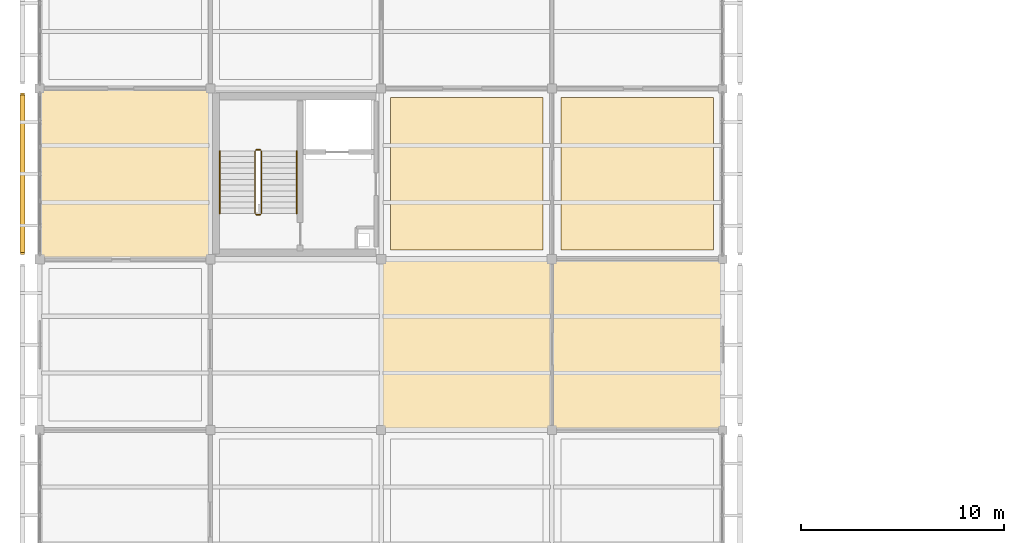
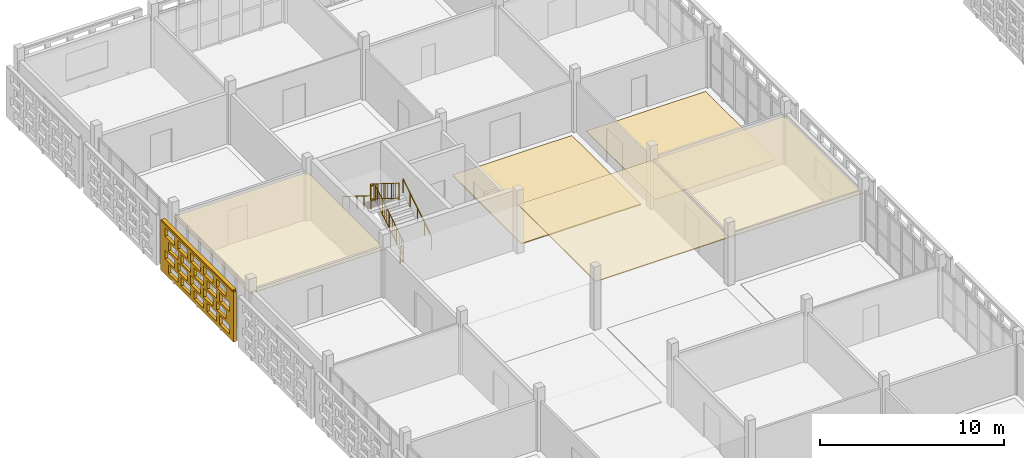
# One storey, part 111 of 140: 6 coverings, 6 railings, 1 shading device, 20 openings.
"""IFC4 building model written with IfcOpenShell, lengths in metres."""

from ifc_helpers import new_model, si_unit, direction, frame, frame_2d, origin, origin_2d, place, context, subcontext, project, spatial, rectangle, circle, extrude, material, layer, layer_set, type_object, element, save


model = new_model("IFC4")

# Units and contexts
model_context = context("Model", 3, precision=1e-05, world=origin(), true_north=direction((0.0, 1.0)))
body_context = subcontext(model_context, "Body", "Model", "MODEL_VIEW")
ifc_project = project(units=[si_unit("LENGTHUNIT", "METRE"), si_unit("AREAUNIT", "SQUARE_METRE"), si_unit("VOLUMEUNIT", "CUBIC_METRE"), si_unit("PLANEANGLEUNIT", "RADIAN"), si_unit("MASSUNIT", "GRAM", prefix="KILO")], contexts=[model_context])

# Site, building, storey
site_placement = place(None, origin())
site = spatial("IfcSite", under=ifc_project, at=site_placement, CompositionType="ELEMENT")
building_placement = place(site_placement, origin())
building = spatial("IfcBuilding", under=site, at=building_placement, Name="Varnapada Polytechnic", CompositionType="ELEMENT")
storey_placement = place(building_placement, frame((0.0, 0.0, 13.800048828125)))
storey = spatial("IfcBuildingStorey", under=building, at=storey_placement, Name="L03", CompositionType="ELEMENT", Elevation=13.800048828125)

# Coverings
ifc_material_1 = material(Name="End-Grain Timber Studio Block Flooring", Category="wood")
ifc_layer_1 = layer(ifc_material_1, 0.054931640625)
ifc_layer_set_1 = layer_set([ifc_layer_1], Name="End-Grain Timber Studio Block Flooring")
covering_type_1 = type_object("IfcCoveringType", Name="Floor Finish FLR-04", PredefinedType="FLOORING", material=ifc_layer_set_1)
covering_1_placement = place(storey_placement, frame((21.0, 105.0, 0.0), z_axis=(0.0, 0.0, 1.0), x_axis=(1.0, 0.0, 0.0)))
element("IfcCovering", 1, at=covering_1_placement, inside=storey, type_object=covering_type_1, Name="L03 floor finish panel (3,13)", PredefinedType="FLOORING", context=body_context, shape_type="SweptSolid", body=[
    extrude(rectangle(XDim=7.5, YDim=7.5, at=origin_2d()), origin(), (0.0, 0.0, 1.0), 0.054931640625),
])
ifc_material_2 = material(Name="Acoustic Rubber Seminar Flooring")
ifc_layer_2 = layer(ifc_material_2, 0.0400390625)
ifc_layer_set_2 = layer_set([ifc_layer_2], Name="Acoustic Rubber Seminar Flooring")
covering_type_2 = type_object("IfcCoveringType", Name="Floor Finish FLR-06", PredefinedType="FLOORING", material=ifc_layer_set_2)
covering_2_placement = place(storey_placement, frame((29.39990234375, 105.0, 0.0), z_axis=(0.0, 0.0, 1.0), x_axis=(1.0, 0.0, 0.0)))
element("IfcCovering", 2, at=covering_2_placement, inside=storey, type_object=covering_type_2, Name="L03 floor finish panel (4,13)", PredefinedType="FLOORING", context=body_context, shape_type="SweptSolid", body=[
    extrude(rectangle(XDim=7.5, YDim=7.5, at=origin_2d()), origin(), (0.0, 0.0, 1.0), 0.0400390625),
])

# Railings
ifc_material_3 = material(Name="Brushed Stainless Steel 316", Category="steel")
railing_type_1 = type_object("IfcRailingType", Name="Stair Wall Handrail SHR-01", PredefinedType="HANDRAIL", material=ifc_material_3)
railing_1_placement = place(storey_placement, frame((12.64990234375, 103.050048828125, 0.175048828125)))
element("IfcRailing", 3, at=railing_1_placement, inside=storey, type_object=railing_type_1, Name="L03 ST-1 stair handrail 1", PredefinedType="HANDRAIL", context=body_context, shape_type="SweptSolid", body=[
    extrude(circle(Radius=0.02392578125, at=origin_2d()), frame((0.0, 0.0, 0.8759765625), z_axis=(0.0, 0.848009633417, 0.529980812513), x_axis=(-1.0, 0.0, 0.0)), (0.0, 0.0, 1.0), 3.6318359375),
    extrude(circle(Radius=0.02099609375, at=origin_2d()), origin(), (0.0, 0.0, 1.0), 0.851806640625),
    extrude(circle(Radius=0.02099609375, at=origin_2d()), frame((0.0, 0.77001953125, 0.481201171875)), (0.0, 0.0, 1.0), 0.851806640625),
    extrude(circle(Radius=0.02099609375, at=origin_2d()), frame((0.0, 1.5400390625, 0.96240234375)), (0.0, 0.0, 1.0), 0.851806640625),
    extrude(circle(Radius=0.02099609375, at=origin_2d()), frame((0.0, 2.309814453125, 1.443603515625)), (0.0, 0.0, 1.0), 0.851806640625),
    extrude(circle(Radius=0.02099609375, at=origin_2d()), frame((0.0, 3.079833984375, 1.9248046875)), (0.0, 0.0, 1.0), 0.851806640625),
])
railing_2_placement = place(storey_placement, frame((8.85009765625, 106.1298828125, 2.27490234375)))
element("IfcRailing", 4, at=railing_2_placement, inside=storey, type_object=railing_type_1, Name="L03 ST-1 stair handrail 2", PredefinedType="HANDRAIL", context=body_context, shape_type="SweptSolid", body=[
    extrude(circle(Radius=0.02392578125, at=origin_2d()), frame((0.0, 0.0, 0.8759765625), z_axis=(0.0, -0.847979421464, 0.530029150871), x_axis=(1.0, 0.0, 0.0)), (0.0, 0.0, 1.0), 3.632080078125),
    extrude(circle(Radius=0.02099609375, at=origin_2d()), origin(), (0.0, 0.0, 1.0), 0.851806640625),
    extrude(circle(Radius=0.02099609375, at=origin_2d()), frame((0.0, -0.77001953125, 0.481201171875)), (0.0, 0.0, 1.0), 0.851806640625),
    extrude(circle(Radius=0.02099609375, at=origin_2d()), frame((0.0, -1.5400390625, 0.96240234375)), (0.0, 0.0, 1.0), 0.851806640625),
    extrude(circle(Radius=0.02099609375, at=origin_2d()), frame((0.0, -2.309814453125, 1.44384765625)), (0.0, 0.0, 1.0), 0.851806640625),
    extrude(circle(Radius=0.02099609375, at=origin_2d()), frame((0.0, -3.079833984375, 1.925048828125)), (0.0, 0.0, 1.0), 0.851806640625),
])
railing_type_2 = type_object("IfcRailingType", Name="Stair Well Guard Rail SGR-01", PredefinedType="BALUSTRADE", material=ifc_material_3)
railing_3_placement = place(storey_placement, frame((10.89990234375, 103.050048828125, 0.175048828125)))
element("IfcRailing", 5, at=railing_3_placement, inside=storey, type_object=railing_type_2, Name="L03 ST-1 stair guard 1", PredefinedType="BALUSTRADE", context=body_context, shape_type="SweptSolid", body=[
    extrude(circle(Radius=0.02392578125, at=origin_2d()), frame((0.0, 0.0, 1.09619140625), z_axis=(0.0, 0.848009633417, 0.529980812513), x_axis=(-1.0, 0.0, 0.0)), (0.0, 0.0, 1.0), 3.6318359375),
    extrude(circle(Radius=0.02392578125, at=origin_2d()), frame((0.0, 0.0, 0.10009765625), z_axis=(0.0, 0.848009633417, 0.529980812513), x_axis=(-1.0, 0.0, 0.0)), (0.0, 0.0, 1.0), 3.6318359375),
    extrude(circle(Radius=0.02099609375, at=origin_2d()), origin(), (0.0, 0.0, 1.0), 1.072021484375),
    extrude(circle(Radius=0.02099609375, at=origin_2d()), frame((0.0, 0.77001953125, 0.481201171875)), (0.0, 0.0, 1.0), 1.072021484375),
    extrude(circle(Radius=0.02099609375, at=origin_2d()), frame((0.0, 1.5400390625, 0.96240234375)), (0.0, 0.0, 1.0), 1.072021484375),
    extrude(circle(Radius=0.02099609375, at=origin_2d()), frame((0.0, 2.309814453125, 1.443603515625)), (0.0, 0.0, 1.0), 1.072021484375),
    extrude(circle(Radius=0.02099609375, at=origin_2d()), frame((0.0, 3.079833984375, 1.9248046875)), (0.0, 0.0, 1.0), 1.072021484375),
    extrude(circle(Radius=0.010009765625, at=origin_2d()), frame((0.0, 0.205322265625, 0.228515625)), (0.0, 0.0, 1.0), 0.971923828125),
    extrude(circle(Radius=0.010009765625, at=origin_2d()), frame((0.0, 0.41064453125, 0.356689453125)), (0.0, 0.0, 1.0), 0.971923828125),
    extrude(circle(Radius=0.010009765625, at=origin_2d()), frame((0.0, 0.615966796875, 0.485107421875)), (0.0, 0.0, 1.0), 0.971923828125),
    extrude(circle(Radius=0.010009765625, at=origin_2d()), frame((0.0, 0.8212890625, 0.61328125)), (0.0, 0.0, 1.0), 0.971923828125),
    extrude(circle(Radius=0.010009765625, at=origin_2d()), frame((0.0, 1.026611328125, 0.74169921875)), (0.0, 0.0, 1.0), 0.971923828125),
    extrude(circle(Radius=0.010009765625, at=origin_2d()), frame((0.0, 1.23193359375, 0.8701171875)), (0.0, 0.0, 1.0), 0.971923828125),
    extrude(circle(Radius=0.010009765625, at=origin_2d()), frame((0.0, 1.437255859375, 0.998291015625)), (0.0, 0.0, 1.0), 0.971923828125),
    extrude(circle(Radius=0.010009765625, at=origin_2d()), frame((0.0, 1.642578125, 1.126708984375)), (0.0, 0.0, 1.0), 0.971923828125),
    extrude(circle(Radius=0.010009765625, at=origin_2d()), frame((0.0, 1.847900390625, 1.2548828125)), (0.0, 0.0, 1.0), 0.971923828125),
    extrude(circle(Radius=0.010009765625, at=origin_2d()), frame((0.0, 2.05322265625, 1.38330078125)), (0.0, 0.0, 1.0), 0.971923828125),
    extrude(circle(Radius=0.010009765625, at=origin_2d()), frame((0.0, 2.258544921875, 1.51171875)), (0.0, 0.0, 1.0), 0.971923828125),
    extrude(circle(Radius=0.010009765625, at=origin_2d()), frame((0.0, 2.4638671875, 1.639892578125)), (0.0, 0.0, 1.0), 0.971923828125),
    extrude(circle(Radius=0.010009765625, at=origin_2d()), frame((0.0, 2.669189453125, 1.768310546875)), (0.0, 0.0, 1.0), 0.971923828125),
    extrude(circle(Radius=0.010009765625, at=origin_2d()), frame((0.0, 2.87451171875, 1.896484375)), (0.0, 0.0, 1.0), 0.971923828125),
])
railing_4_placement = place(storey_placement, frame((10.85009765625, 106.179931640625, 2.099853515625)))
element("IfcRailing", 6, at=railing_4_placement, inside=storey, type_object=railing_type_2, Name="L03 ST-1 stair guard 2", PredefinedType="BALUSTRADE", context=body_context, shape_type="SweptSolid", body=[
    extrude(circle(Radius=0.02392578125, at=origin_2d()), frame((0.0, 0.0, 1.09619140625), z_axis=(-1.0, 0.0, 0.0), x_axis=(0.0, -1.0, 0.0)), (0.0, 0.0, 1.0), 0.2001953125),
    extrude(circle(Radius=0.02392578125, at=origin_2d()), frame((0.0, 0.0, 0.10009765625), z_axis=(-1.0, 0.0, 0.0), x_axis=(0.0, -1.0, 0.0)), (0.0, 0.0, 1.0), 0.2001953125),
    extrude(circle(Radius=0.02099609375, at=origin_2d()), origin(), (0.0, 0.0, 1.0), 1.072021484375),
    extrude(circle(Radius=0.02099609375, at=origin_2d()), frame((-0.2001953125, 0.0, 0.0)), (0.0, 0.0, 1.0), 1.072021484375),
])
railing_5_placement = place(storey_placement, frame((10.60009765625, 106.1298828125, 2.27490234375)))
element("IfcRailing", 7, at=railing_5_placement, inside=storey, type_object=railing_type_2, Name="L03 ST-1 stair guard 3", PredefinedType="BALUSTRADE", context=body_context, shape_type="SweptSolid", body=[
    extrude(circle(Radius=0.02392578125, at=origin_2d()), frame((0.0, 0.0, 1.09619140625), z_axis=(0.0, -0.847979421464, 0.530029150871), x_axis=(1.0, 0.0, 0.0)), (0.0, 0.0, 1.0), 3.632080078125),
    extrude(circle(Radius=0.02392578125, at=origin_2d()), frame((0.0, 0.0, 0.10009765625), z_axis=(0.0, -0.847979421464, 0.530029150871), x_axis=(1.0, 0.0, 0.0)), (0.0, 0.0, 1.0), 3.632080078125),
    extrude(circle(Radius=0.02099609375, at=origin_2d()), origin(), (0.0, 0.0, 1.0), 1.072021484375),
    extrude(circle(Radius=0.02099609375, at=origin_2d()), frame((0.0, -0.77001953125, 0.481201171875)), (0.0, 0.0, 1.0), 1.072021484375),
    extrude(circle(Radius=0.02099609375, at=origin_2d()), frame((0.0, -1.5400390625, 0.96240234375)), (0.0, 0.0, 1.0), 1.072021484375),
    extrude(circle(Radius=0.02099609375, at=origin_2d()), frame((0.0, -2.309814453125, 1.44384765625)), (0.0, 0.0, 1.0), 1.072021484375),
    extrude(circle(Radius=0.02099609375, at=origin_2d()), frame((0.0, -3.079833984375, 1.925048828125)), (0.0, 0.0, 1.0), 1.072021484375),
    extrude(circle(Radius=0.010009765625, at=origin_2d()), frame((0.0, -0.205322265625, 0.228515625)), (0.0, 0.0, 1.0), 0.971923828125),
    extrude(circle(Radius=0.010009765625, at=origin_2d()), frame((0.0, -0.41064453125, 0.356689453125)), (0.0, 0.0, 1.0), 0.971923828125),
    extrude(circle(Radius=0.010009765625, at=origin_2d()), frame((0.0, -0.615966796875, 0.485107421875)), (0.0, 0.0, 1.0), 0.971923828125),
    extrude(circle(Radius=0.010009765625, at=origin_2d()), frame((0.0, -0.8212890625, 0.613525390625)), (0.0, 0.0, 1.0), 0.971923828125),
    extrude(circle(Radius=0.010009765625, at=origin_2d()), frame((0.0, -1.026611328125, 0.74169921875)), (0.0, 0.0, 1.0), 0.971923828125),
    extrude(circle(Radius=0.010009765625, at=origin_2d()), frame((0.0, -1.23193359375, 0.8701171875)), (0.0, 0.0, 1.0), 0.971923828125),
    extrude(circle(Radius=0.010009765625, at=origin_2d()), frame((0.0, -1.437255859375, 0.99853515625)), (0.0, 0.0, 1.0), 0.971923828125),
    extrude(circle(Radius=0.010009765625, at=origin_2d()), frame((0.0, -1.642578125, 1.126708984375)), (0.0, 0.0, 1.0), 0.971923828125),
    extrude(circle(Radius=0.010009765625, at=origin_2d()), frame((0.0, -1.847900390625, 1.255126953125)), (0.0, 0.0, 1.0), 0.971923828125),
    extrude(circle(Radius=0.010009765625, at=origin_2d()), frame((0.0, -2.05322265625, 1.383544921875)), (0.0, 0.0, 1.0), 0.971923828125),
    extrude(circle(Radius=0.010009765625, at=origin_2d()), frame((0.0, -2.258544921875, 1.51171875)), (0.0, 0.0, 1.0), 0.971923828125),
    extrude(circle(Radius=0.010009765625, at=origin_2d()), frame((0.0, -2.4638671875, 1.64013671875)), (0.0, 0.0, 1.0), 0.971923828125),
    extrude(circle(Radius=0.010009765625, at=origin_2d()), frame((0.0, -2.669189453125, 1.7685546875)), (0.0, 0.0, 1.0), 0.971923828125),
    extrude(circle(Radius=0.010009765625, at=origin_2d()), frame((0.0, -2.87451171875, 1.896728515625)), (0.0, 0.0, 1.0), 0.971923828125),
])
railing_6_placement = place(storey_placement, frame((10.85009765625, 103.0, 0.0)))
element("IfcRailing", 8, at=railing_6_placement, inside=storey, type_object=railing_type_2, Name="L03 ST-1 stair guard 4", PredefinedType="BALUSTRADE", context=body_context, shape_type="SweptSolid", body=[
    extrude(circle(Radius=0.02392578125, at=origin_2d()), frame((0.0, 0.0, 1.09619140625), z_axis=(-1.0, 0.0, 0.0), x_axis=(0.0, -1.0, 0.0)), (0.0, 0.0, 1.0), 0.2001953125),
    extrude(circle(Radius=0.02392578125, at=origin_2d()), frame((0.0, 0.0, 0.10009765625), z_axis=(-1.0, 0.0, 0.0), x_axis=(0.0, -1.0, 0.0)), (0.0, 0.0, 1.0), 0.2001953125),
    extrude(circle(Radius=0.02099609375, at=origin_2d()), origin(), (0.0, 0.0, 1.0), 1.072021484375),
    extrude(circle(Radius=0.02099609375, at=origin_2d()), frame((-0.2001953125, 0.0, 0.0)), (0.0, 0.0, 1.0), 1.072021484375),
])

# Coverings
ifc_material_4 = material(Name="Perforated Timber Slatted Baffle Ceiling", Category="wood")
ifc_layer_3 = layer(ifc_material_4, 0.050048828125)
ifc_layer_set_3 = layer_set([ifc_layer_3], Name="Perforated Timber Slatted Baffle Ceiling")
covering_type_3 = type_object("IfcCoveringType", Name="Suspended Ceiling CLG-02", PredefinedType="CEILING", material=ifc_layer_set_3)
covering_3_placement = place(storey_placement, frame((4.199951171875, 105.0, 3.02490234375), z_axis=(0.0, 0.0, 1.0), x_axis=(1.0, 0.0, 0.0)))
element("IfcCovering", 9, at=covering_3_placement, inside=storey, type_object=covering_type_3, Name="L03 suspended acoustic ceiling (1,13)", PredefinedType="CEILING", context=body_context, shape_type="SweptSolid", body=[
    extrude(rectangle(XDim=8.419921875, YDim=8.419921875, at=origin_2d()), origin(), (0.0, 0.0, 1.0), 0.050048828125),
])
ifc_material_5 = material(Name="Slatted Merbau Timber Acoustic Ceiling", Category="wood")
ifc_layer_4 = layer(ifc_material_5, 0.054931640625)
ifc_layer_set_4 = layer_set([ifc_layer_4], Name="Slatted Merbau Timber Acoustic Ceiling")
covering_type_4 = type_object("IfcCoveringType", Name="Suspended Ceiling CLG-05", PredefinedType="CEILING", material=ifc_layer_set_4)
for number, where, z_axis, x_axis, name in (
    (10, (21.0, 96.60009765625, 3.0224609375), (0.0, 0.0, 1.0), (1.0, 0.0, 0.0), "L03 suspended acoustic ceiling (3,12)"),
    (11, (29.39990234375, 96.60009765625, 3.0224609375), (0.0, 0.0, 1.0), (1.0, 0.0, 0.0), "L03 suspended acoustic ceiling (4,12)"),
):
    element("IfcCovering", number, at=place(storey_placement, frame(where, z_axis=z_axis, x_axis=x_axis)), inside=storey, type_object=covering_type_4, Name=name, PredefinedType="CEILING", context=body_context, shape_type="SweptSolid", body=[
        extrude(rectangle(XDim=8.419921875, YDim=8.419921875, at=origin_2d()), origin(), (0.0, 0.0, 1.0), 0.054931640625),
    ])

# Covering, openings
ifc_material_6 = material(Name="Earth-toned architectural terracotta screen block", Category="masonry")
ifc_layer_5 = layer(ifc_material_6, 0.1201171875)
ifc_layer_set_5 = layer_set([ifc_layer_5], Name="Earth-toned architectural terracotta screen block")
covering_type_5 = type_object("IfcCoveringType", Name="Terracotta Screen Cladding CLD-01", PredefinedType="CLADDING", material=ifc_layer_set_5)
covering_4_placement = place(storey_placement, frame((-0.85009765625, 101.030029296875, 0.0), z_axis=(0.0, 0.0, 1.0), x_axis=(0.0, 1.0, 0.0)))
covering_4 = element("IfcCovering", 12, at=covering_4_placement, inside=storey, type_object=covering_type_5, Name="L03 perforated terracotta block screen (9)", PredefinedType="CLADDING", context=body_context, shape_type="SweptSolid", body=[
    extrude(rectangle(XDim=7.949951171875, YDim=0.179931640625, at=frame_2d((3.97509765625, 0.0))), origin(), (0.0, 0.0, 1.0), 3.320068359375),
])
opening_1_placement = place(covering_4_placement, frame((0.47509765625, 0.0, 0.265625)))
element("IfcOpeningElement", 13, at=opening_1_placement, cuts=covering_4, Name="Screen perforation TBS-L03-008.1", PredefinedType="OPENING", context=body_context, shape_type="SweptSolid", body=[
    extrude(rectangle(XDim=1.0400390625, YDim=0.5810546875, at=frame_2d((0.52001953125, 0.29052734375))), frame((0.0, 0.099853515625, 0.0), z_axis=(0.0, -1.0, 0.0), x_axis=(1.0, 0.0, 0.0)), (0.0, 0.0, 1.0), 0.199951171875),
])
opening_2_placement = place(covering_4_placement, frame((1.875, 0.0, 0.265625)))
element("IfcOpeningElement", 14, at=opening_2_placement, cuts=covering_4, Name="Screen perforation TBS-L03-008.2", PredefinedType="OPENING", context=body_context, shape_type="SweptSolid", body=[
    extrude(rectangle(XDim=1.0400390625, YDim=0.5810546875, at=frame_2d((0.52001953125, 0.29052734375))), frame((0.0, 0.099853515625, 0.0), z_axis=(0.0, -1.0, 0.0), x_axis=(1.0, 0.0, 0.0)), (0.0, 0.0, 1.0), 0.199951171875),
])
opening_3_placement = place(covering_4_placement, frame((3.27490234375, 0.0, 0.265625)))
element("IfcOpeningElement", 15, at=opening_3_placement, cuts=covering_4, Name="Screen perforation TBS-L03-008.3", PredefinedType="OPENING", context=body_context, shape_type="SweptSolid", body=[
    extrude(rectangle(XDim=1.0400390625, YDim=0.5810546875, at=frame_2d((0.52001953125, 0.29052734375))), frame((0.0, 0.099853515625, 0.0), z_axis=(0.0, -1.0, 0.0), x_axis=(1.0, 0.0, 0.0)), (0.0, 0.0, 1.0), 0.199951171875),
])
opening_4_placement = place(covering_4_placement, frame((4.675048828125, 0.0, 0.265625)))
element("IfcOpeningElement", 16, at=opening_4_placement, cuts=covering_4, Name="Screen perforation TBS-L03-008.4", PredefinedType="OPENING", context=body_context, shape_type="SweptSolid", body=[
    extrude(rectangle(XDim=1.0400390625, YDim=0.5810546875, at=frame_2d((0.52001953125, 0.29052734375))), frame((0.0, 0.099853515625, 0.0), z_axis=(0.0, -1.0, 0.0), x_axis=(1.0, 0.0, 0.0)), (0.0, 0.0, 1.0), 0.199951171875),
])
opening_5_placement = place(covering_4_placement, frame((6.074951171875, 0.0, 0.265625)))
element("IfcOpeningElement", 17, at=opening_5_placement, cuts=covering_4, Name="Screen perforation TBS-L03-008.5", PredefinedType="OPENING", context=body_context, shape_type="SweptSolid", body=[
    extrude(rectangle(XDim=1.0400390625, YDim=0.5810546875, at=frame_2d((0.52001953125, 0.29052734375))), frame((0.0, 0.099853515625, 0.0), z_axis=(0.0, -1.0, 0.0), x_axis=(1.0, 0.0, 0.0)), (0.0, 0.0, 1.0), 0.199951171875),
])
opening_6_placement = place(covering_4_placement, frame((0.8349609375, 0.0, 1.0126953125)))
element("IfcOpeningElement", 18, at=opening_6_placement, cuts=covering_4, Name="Screen perforation TBS-L03-008.6", PredefinedType="OPENING", context=body_context, shape_type="SweptSolid", body=[
    extrude(rectangle(XDim=1.0400390625, YDim=0.5810546875, at=frame_2d((0.52001953125, 0.29052734375))), frame((0.0, 0.099853515625, 0.0), z_axis=(0.0, -1.0, 0.0), x_axis=(1.0, 0.0, 0.0)), (0.0, 0.0, 1.0), 0.199951171875),
])
opening_7_placement = place(covering_4_placement, frame((2.235107421875, 0.0, 1.0126953125)))
element("IfcOpeningElement", 19, at=opening_7_placement, cuts=covering_4, Name="Screen perforation TBS-L03-008.7", PredefinedType="OPENING", context=body_context, shape_type="SweptSolid", body=[
    extrude(rectangle(XDim=1.0400390625, YDim=0.5810546875, at=frame_2d((0.52001953125, 0.29052734375))), frame((0.0, 0.099853515625, 0.0), z_axis=(0.0, -1.0, 0.0), x_axis=(1.0, 0.0, 0.0)), (0.0, 0.0, 1.0), 0.199951171875),
])
opening_8_placement = place(covering_4_placement, frame((3.635009765625, 0.0, 1.0126953125)))
element("IfcOpeningElement", 20, at=opening_8_placement, cuts=covering_4, Name="Screen perforation TBS-L03-008.8", PredefinedType="OPENING", context=body_context, shape_type="SweptSolid", body=[
    extrude(rectangle(XDim=1.0400390625, YDim=0.5810546875, at=frame_2d((0.52001953125, 0.29052734375))), frame((0.0, 0.099853515625, 0.0), z_axis=(0.0, -1.0, 0.0), x_axis=(1.0, 0.0, 0.0)), (0.0, 0.0, 1.0), 0.199951171875),
])
opening_9_placement = place(covering_4_placement, frame((5.034912109375, 0.0, 1.0126953125)))
element("IfcOpeningElement", 21, at=opening_9_placement, cuts=covering_4, Name="Screen perforation TBS-L03-008.9", PredefinedType="OPENING", context=body_context, shape_type="SweptSolid", body=[
    extrude(rectangle(XDim=1.0400390625, YDim=0.5810546875, at=frame_2d((0.52001953125, 0.29052734375))), frame((0.0, 0.099853515625, 0.0), z_axis=(0.0, -1.0, 0.0), x_axis=(1.0, 0.0, 0.0)), (0.0, 0.0, 1.0), 0.199951171875),
])
opening_10_placement = place(covering_4_placement, frame((6.43505859375, 0.0, 1.0126953125)))
element("IfcOpeningElement", 22, at=opening_10_placement, cuts=covering_4, Name="Screen perforation TBS-L03-008.10", PredefinedType="OPENING", context=body_context, shape_type="SweptSolid", body=[
    extrude(rectangle(XDim=1.0400390625, YDim=0.5810546875, at=frame_2d((0.52001953125, 0.29052734375))), frame((0.0, 0.099853515625, 0.0), z_axis=(0.0, -1.0, 0.0), x_axis=(1.0, 0.0, 0.0)), (0.0, 0.0, 1.0), 0.199951171875),
])
opening_11_placement = place(covering_4_placement, frame((0.47509765625, 0.0, 1.759521484375)))
element("IfcOpeningElement", 23, at=opening_11_placement, cuts=covering_4, Name="Screen perforation TBS-L03-008.11", PredefinedType="OPENING", context=body_context, shape_type="SweptSolid", body=[
    extrude(rectangle(XDim=1.0400390625, YDim=0.5810546875, at=frame_2d((0.52001953125, 0.29052734375))), frame((0.0, 0.099853515625, 0.0), z_axis=(0.0, -1.0, 0.0), x_axis=(1.0, 0.0, 0.0)), (0.0, 0.0, 1.0), 0.199951171875),
])
opening_12_placement = place(covering_4_placement, frame((1.875, 0.0, 1.759521484375)))
element("IfcOpeningElement", 24, at=opening_12_placement, cuts=covering_4, Name="Screen perforation TBS-L03-008.12", PredefinedType="OPENING", context=body_context, shape_type="SweptSolid", body=[
    extrude(rectangle(XDim=1.0400390625, YDim=0.5810546875, at=frame_2d((0.52001953125, 0.29052734375))), frame((0.0, 0.099853515625, 0.0), z_axis=(0.0, -1.0, 0.0), x_axis=(1.0, 0.0, 0.0)), (0.0, 0.0, 1.0), 0.199951171875),
])
opening_13_placement = place(covering_4_placement, frame((3.27490234375, 0.0, 1.759521484375)))
element("IfcOpeningElement", 25, at=opening_13_placement, cuts=covering_4, Name="Screen perforation TBS-L03-008.13", PredefinedType="OPENING", context=body_context, shape_type="SweptSolid", body=[
    extrude(rectangle(XDim=1.0400390625, YDim=0.5810546875, at=frame_2d((0.52001953125, 0.29052734375))), frame((0.0, 0.099853515625, 0.0), z_axis=(0.0, -1.0, 0.0), x_axis=(1.0, 0.0, 0.0)), (0.0, 0.0, 1.0), 0.199951171875),
])
opening_14_placement = place(covering_4_placement, frame((4.675048828125, 0.0, 1.759521484375)))
element("IfcOpeningElement", 26, at=opening_14_placement, cuts=covering_4, Name="Screen perforation TBS-L03-008.14", PredefinedType="OPENING", context=body_context, shape_type="SweptSolid", body=[
    extrude(rectangle(XDim=1.0400390625, YDim=0.5810546875, at=frame_2d((0.52001953125, 0.29052734375))), frame((0.0, 0.099853515625, 0.0), z_axis=(0.0, -1.0, 0.0), x_axis=(1.0, 0.0, 0.0)), (0.0, 0.0, 1.0), 0.199951171875),
])
opening_15_placement = place(covering_4_placement, frame((6.074951171875, 0.0, 1.759521484375)))
element("IfcOpeningElement", 27, at=opening_15_placement, cuts=covering_4, Name="Screen perforation TBS-L03-008.15", PredefinedType="OPENING", context=body_context, shape_type="SweptSolid", body=[
    extrude(rectangle(XDim=1.0400390625, YDim=0.5810546875, at=frame_2d((0.52001953125, 0.29052734375))), frame((0.0, 0.099853515625, 0.0), z_axis=(0.0, -1.0, 0.0), x_axis=(1.0, 0.0, 0.0)), (0.0, 0.0, 1.0), 0.199951171875),
])
opening_16_placement = place(covering_4_placement, frame((0.8349609375, 0.0, 2.506591796875)))
element("IfcOpeningElement", 28, at=opening_16_placement, cuts=covering_4, Name="Screen perforation TBS-L03-008.16", PredefinedType="OPENING", context=body_context, shape_type="SweptSolid", body=[
    extrude(rectangle(XDim=1.0400390625, YDim=0.5810546875, at=frame_2d((0.52001953125, 0.29052734375))), frame((0.0, 0.099853515625, 0.0), z_axis=(0.0, -1.0, 0.0), x_axis=(1.0, 0.0, 0.0)), (0.0, 0.0, 1.0), 0.199951171875),
])
opening_17_placement = place(covering_4_placement, frame((2.235107421875, 0.0, 2.506591796875)))
element("IfcOpeningElement", 29, at=opening_17_placement, cuts=covering_4, Name="Screen perforation TBS-L03-008.17", PredefinedType="OPENING", context=body_context, shape_type="SweptSolid", body=[
    extrude(rectangle(XDim=1.0400390625, YDim=0.5810546875, at=frame_2d((0.52001953125, 0.29052734375))), frame((0.0, 0.099853515625, 0.0), z_axis=(0.0, -1.0, 0.0), x_axis=(1.0, 0.0, 0.0)), (0.0, 0.0, 1.0), 0.199951171875),
])
opening_18_placement = place(covering_4_placement, frame((3.635009765625, 0.0, 2.506591796875)))
element("IfcOpeningElement", 30, at=opening_18_placement, cuts=covering_4, Name="Screen perforation TBS-L03-008.18", PredefinedType="OPENING", context=body_context, shape_type="SweptSolid", body=[
    extrude(rectangle(XDim=1.0400390625, YDim=0.5810546875, at=frame_2d((0.52001953125, 0.29052734375))), frame((0.0, 0.099853515625, 0.0), z_axis=(0.0, -1.0, 0.0), x_axis=(1.0, 0.0, 0.0)), (0.0, 0.0, 1.0), 0.199951171875),
])
opening_19_placement = place(covering_4_placement, frame((5.034912109375, 0.0, 2.506591796875)))
element("IfcOpeningElement", 31, at=opening_19_placement, cuts=covering_4, Name="Screen perforation TBS-L03-008.19", PredefinedType="OPENING", context=body_context, shape_type="SweptSolid", body=[
    extrude(rectangle(XDim=1.0400390625, YDim=0.5810546875, at=frame_2d((0.52001953125, 0.29052734375))), frame((0.0, 0.099853515625, 0.0), z_axis=(0.0, -1.0, 0.0), x_axis=(1.0, 0.0, 0.0)), (0.0, 0.0, 1.0), 0.199951171875),
])
opening_20_placement = place(covering_4_placement, frame((6.43505859375, 0.0, 2.506591796875)))
element("IfcOpeningElement", 32, at=opening_20_placement, cuts=covering_4, Name="Screen perforation TBS-L03-008.20", PredefinedType="OPENING", context=body_context, shape_type="SweptSolid", body=[
    extrude(rectangle(XDim=1.0400390625, YDim=0.5810546875, at=frame_2d((0.52001953125, 0.29052734375))), frame((0.0, 0.099853515625, 0.0), z_axis=(0.0, -1.0, 0.0), x_axis=(1.0, 0.0, 0.0)), (0.0, 0.0, 1.0), 0.199951171875),
])

# Shading device
ifc_layer_6 = layer(ifc_material_6, 0.179931640625)
ifc_layer_set_6 = layer_set([ifc_layer_6], Name="Earth-toned architectural terracotta screen block")
shading_device_type = type_object("IfcShadingDeviceType", Name="Terracotta Screen SCR-01", PredefinedType="USERDEFINED", material=ifc_layer_set_6)
shading_device_placement = place(storey_placement, frame((-0.85009765625, 105.0048828125, 3.309814453125), z_axis=(0.0, 0.0, 1.0), x_axis=(0.0, 1.0, 0.0)))
element("IfcShadingDevice", 33, at=shading_device_placement, inside=storey, type_object=shading_device_type, Name="L03 perforated terracotta screen hood 344", ObjectType="SCREEN", PredefinedType="USERDEFINED", context=body_context, shape_type="SweptSolid", body=[
    extrude(rectangle(XDim=7.75, YDim=0.239990234375, at=origin_2d()), origin(), (0.0, 0.0, 1.0), 0.10009765625),
])

save(model, "model.ifc")
